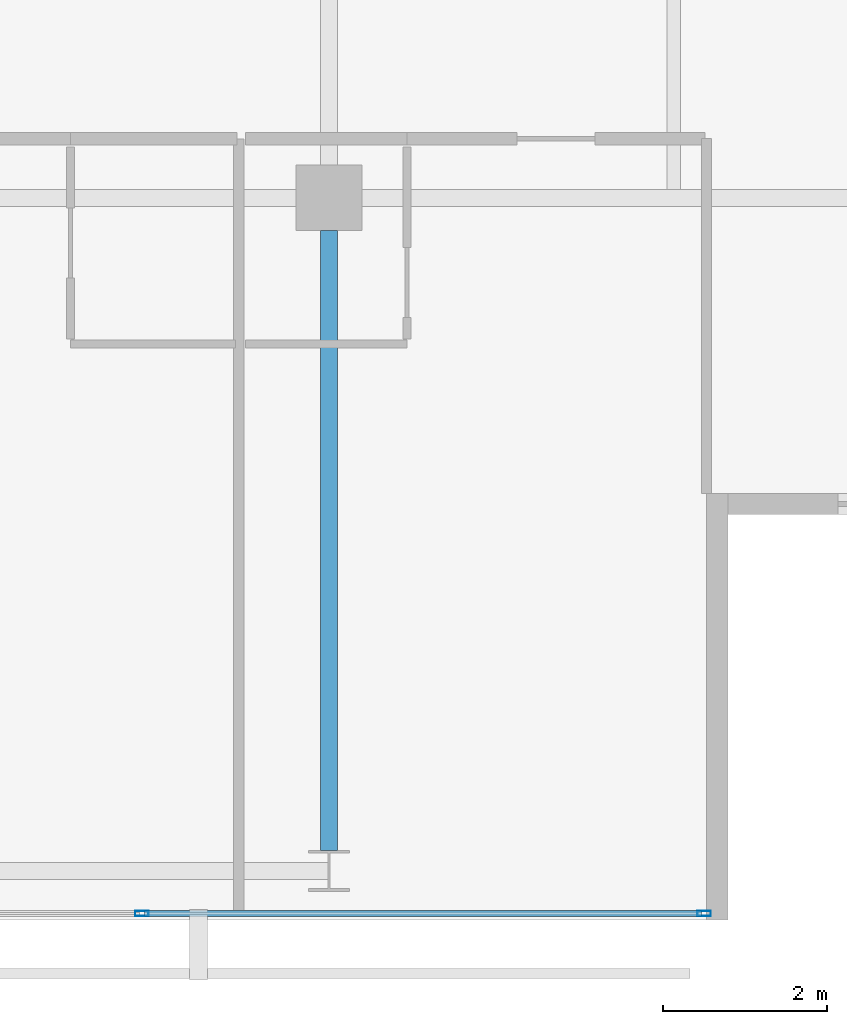
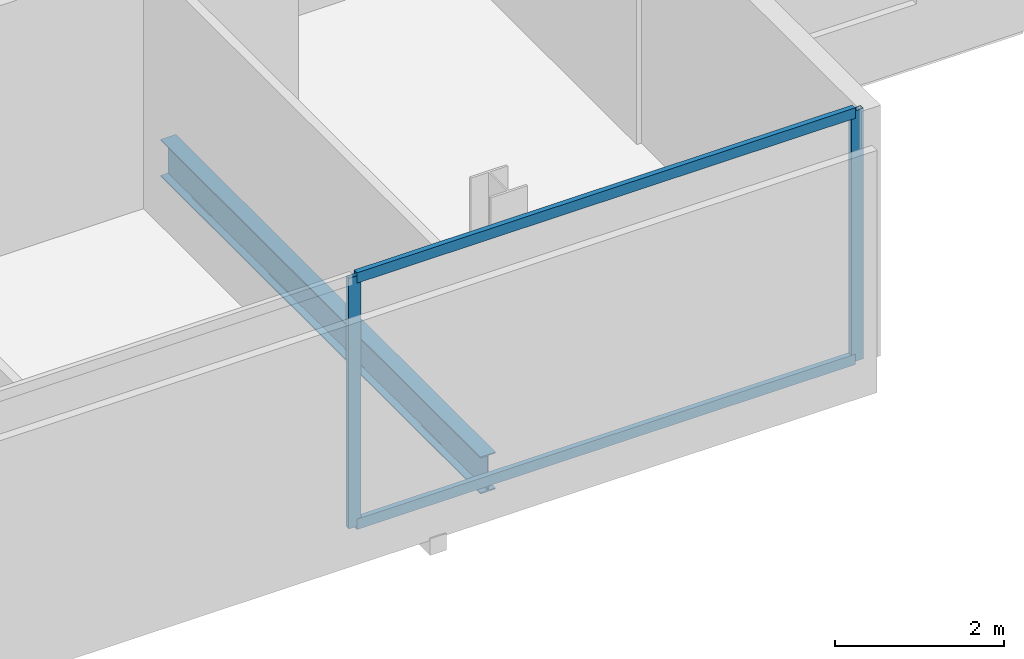
# One storey, part 10 of 25: 4 members, 1 beam, 1 element without a shape of its own.
"""IFC4 building model written with IfcOpenShell, lengths in metres."""

from ifc_helpers import new_model, si_unit, direction, frame, origin, origin_2d, place, context, subcontext, project, spatial, hollow_rectangle, i_section, extrude, material, layer, layer_set, material_profile, profile_set, type_object, element, aggregate, save


model = new_model("IFC4")

# Units and contexts
model_context = context("Model", 3, precision=1e-05, world=origin(), true_north=direction((0.0, 1.0)))
body_context = subcontext(model_context, "Body", "Model", "MODEL_VIEW")
ifc_project = project(units=[si_unit("LENGTHUNIT", "METRE"), si_unit("AREAUNIT", "SQUARE_METRE"), si_unit("VOLUMEUNIT", "CUBIC_METRE"), si_unit("PLANEANGLEUNIT", "RADIAN"), si_unit("MASSUNIT", "GRAM", prefix="KILO")], contexts=[model_context])

# Site, building, storey
site_placement = place(None, origin())
site = spatial("IfcSite", under=ifc_project, at=site_placement, CompositionType="ELEMENT")
building_placement = place(site_placement, origin())
building = spatial("IfcBuilding", under=site, at=building_placement, Name="Maruvema Waterfront Hotel and Observation Tower", CompositionType="ELEMENT")
storey_placement = place(building_placement, frame((0.0, 0.0, 239.39990234375)))
storey = spatial("IfcBuildingStorey", under=building, at=storey_placement, Name="L58", CompositionType="ELEMENT", Elevation=239.39990234375)

# Curtain wall, members
ifc_material_1 = material(Name="Anodised bronze aluminium and solar-control low-E IGU", Category="aluminium")
ifc_layer = layer(ifc_material_1, 0.159912109375, Name="Zone 3 Champagne Inner Thermal Curtain Wall System CW-04")
ifc_layer_set = layer_set([ifc_layer], Name="Anodised bronze aluminium and solar-control low-E IGU")
curtain_wall_type = type_object("IfcCurtainWallType", Name="Zone 3 Champagne Inner Thermal Curtain Wall System CW-04", PredefinedType="USERDEFINED", material=ifc_layer_set)
curtain_wall_placement = place(storey_placement, origin())
curtain_wall = element("IfcCurtainWall", 1, at=curtain_wall_placement, inside=storey, type_object=curtain_wall_type, Name="L58 Curtain Wall CW-L58-S", ObjectType="UNITISED CURTAIN WALL", PredefinedType="USERDEFINED")
ifc_material_2 = material(Name="Anodised architectural bronze aluminium", Category="aluminium")
ifc_material_profile_1 = material_profile(ifc_material_2, hollow_rectangle(XDim=0.070068359375, YDim=0.14990234375, WallThickness=0.00390625, at=origin_2d()), Name="ALU-T70x150")
ifc_profile_set_1 = profile_set([ifc_material_profile_1], Name="Anodised architectural bronze aluminium")
member_type_1 = type_object("IfcMemberType", Name="Curtain Wall Horizontal Transom ALU-T70x150", PredefinedType="USERDEFINED", material=ifc_profile_set_1)
member_1_placement = place(storey_placement, frame((48.14990234375, 9.280029296875, 0.030029296875), z_axis=(1.0, 0.0, 0.0), x_axis=(0.0, 1.0, 0.0)))
member_1 = element("IfcMember", 2, at=member_1_placement, type_object=member_type_1, Name="CW-04 transom 5.1", ObjectType="TRANSOM", PredefinedType="USERDEFINED", context=body_context, shape_type="SweptSolid", body=[
    extrude(hollow_rectangle(XDim=0.070068359375, YDim=0.14990234375, WallThickness=0.00390625, at=origin_2d()), origin(), (0.0, 0.0, 1.0), 6.7900390625),
])
member_2_placement = place(storey_placement, frame((48.14990234375, 9.280029296875, 3.580078125), z_axis=(1.0, 0.0, 0.0), x_axis=(0.0, 1.0, 0.0)))
member_2 = element("IfcMember", 3, at=member_2_placement, type_object=member_type_1, Name="CW-04 transom 5.2", ObjectType="TRANSOM", PredefinedType="USERDEFINED", context=body_context, shape_type="SweptSolid", body=[
    extrude(hollow_rectangle(XDim=0.070068359375, YDim=0.14990234375, WallThickness=0.00390625, at=origin_2d()), origin(), (0.0, 0.0, 1.0), 6.7900390625),
])
ifc_material_3 = material(Name="Anodised architectural bronze aluminium", Category="aluminium")
ifc_material_profile_2 = material_profile(ifc_material_3, hollow_rectangle(XDim=0.06494140625, YDim=0.1650390625, WallThickness=0.00390625, at=origin_2d()), Name="ALU-M65x165")
ifc_profile_set_2 = profile_set([ifc_material_profile_2], Name="Anodised architectural bronze aluminium")
member_type_2 = type_object("IfcMemberType", Name="Curtain Wall Primary Mullion ALU-M65x165", PredefinedType="MULLION", material=ifc_profile_set_2)
member_3_placement = place(storey_placement, frame((48.1201171875, 9.280029296875, 0.0), z_axis=(0.0, 0.0, 1.0), x_axis=(0.0, 1.0, 0.0)))
member_3 = element("IfcMember", 4, at=member_3_placement, type_object=member_type_2, Name="CW-04 mullion 5", PredefinedType="MULLION", context=body_context, shape_type="SweptSolid", body=[
    extrude(hollow_rectangle(XDim=0.06494140625, YDim=0.1650390625, WallThickness=0.00390625, at=origin_2d()), origin(), (0.0, 0.0, 1.0), 3.610107421875),
])
member_4_placement = place(storey_placement, frame((54.969970703125, 9.280029296875, 0.0), z_axis=(0.0, 0.0, 1.0), x_axis=(0.0, 1.0, 0.0)))
member_4 = element("IfcMember", 5, at=member_4_placement, type_object=member_type_2, Name="CW-04 mullion 6", PredefinedType="MULLION", context=body_context, shape_type="SweptSolid", body=[
    extrude(hollow_rectangle(XDim=0.06494140625, YDim=0.1650390625, WallThickness=0.00390625, at=origin_2d()), origin(), (0.0, 0.0, 1.0), 3.610107421875),
])
aggregate(curtain_wall, [member_3, member_4, member_1, member_2])

# Beam
ifc_material_4 = material(Name="Steel ASTM A572 Grade 50", Category="steel")
ifc_material_profile_3 = material_profile(ifc_material_4, i_section(OverallWidth=0.208984375, OverallDepth=0.532958984375, WebThickness=0.01025390625, FlangeThickness=0.015625, FilletRadius=0.014892578125, at=origin_2d()), Name="W530x92.0")
ifc_profile_set_3 = profile_set([ifc_material_profile_3], Name="Steel ASTM A572 Grade 50")
beam_type = type_object("IfcBeamType", Name="Primary Floor Girder W530x92.0", PredefinedType="BEAM", material=ifc_profile_set_3)
beam_placement = place(storey_placement, frame((50.39990234375, 10.050048828125, -0.50634765625), z_axis=(0.0, 1.0, 0.0), x_axis=(-1.0, 0.0, 0.0)))
element("IfcBeam", 6, at=beam_placement, inside=storey, type_object=beam_type, Name="L58 Floor Girder NS-12", PredefinedType="BEAM", context=body_context, shape_type="SweptSolid", body=[
    extrude(i_section(OverallWidth=0.208984375, OverallDepth=0.532958984375, WebThickness=0.01025390625, FlangeThickness=0.015625, FilletRadius=0.014892578125, at=origin_2d()), origin(), (0.0, 0.0, 1.0), 7.550048828125),
])

save(model, "model.ifc")
